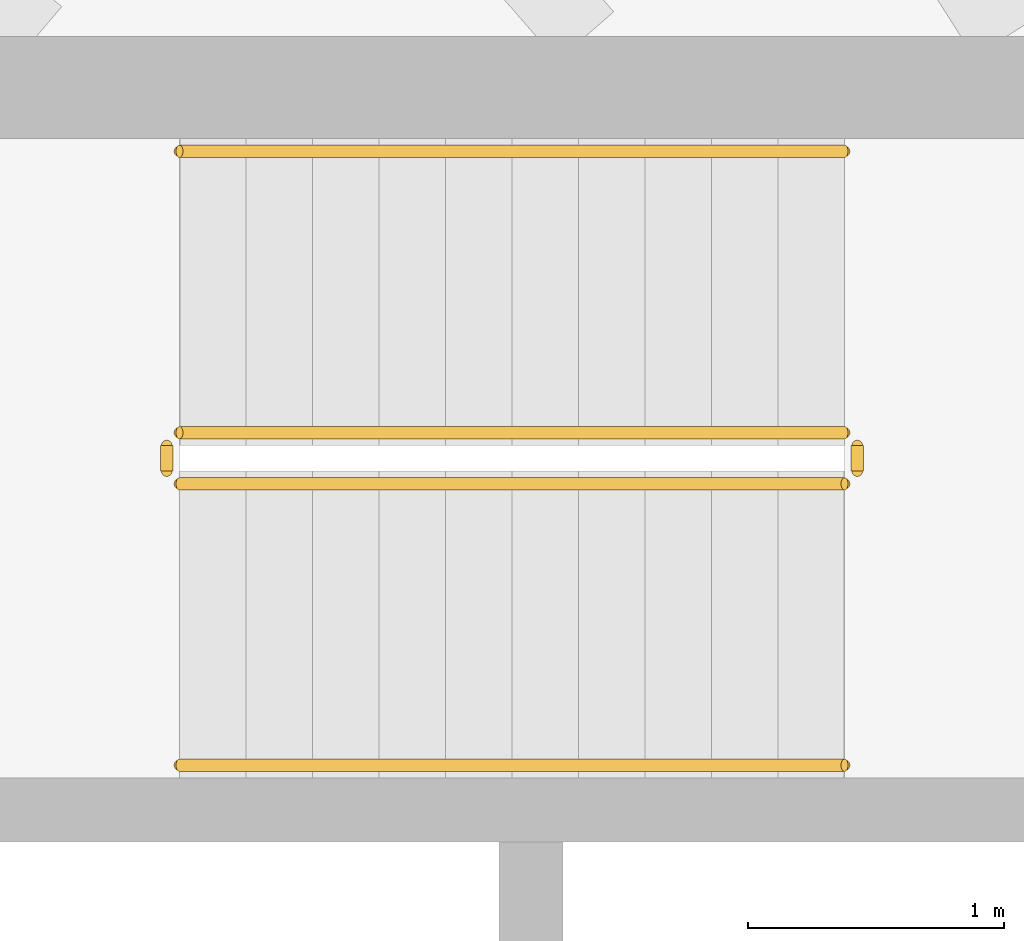
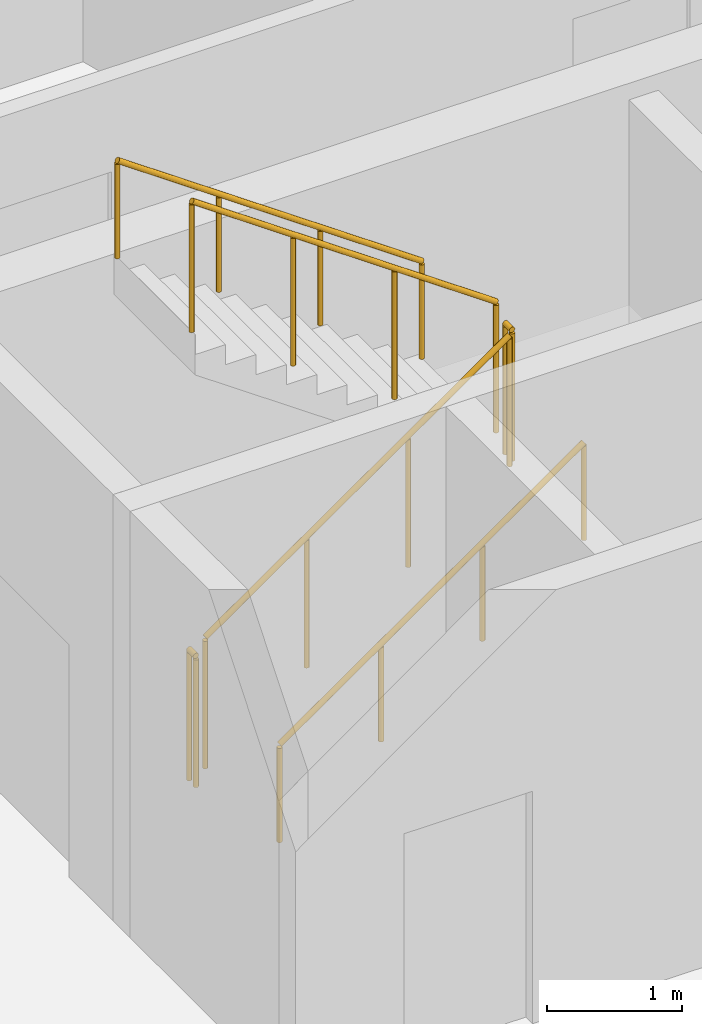
# One storey, part 14 of 17: 6 railings.
"""IFC4 building model written with IfcOpenShell, lengths in metres."""

from ifc_helpers import new_model, si_unit, direction, frame, origin, origin_2d, place, context, subcontext, project, spatial, circle, extrude, material, type_object, element, save


model = new_model("IFC4")

# Units and contexts
model_context = context("Model", 3, precision=1e-05, world=origin(), true_north=direction((0.0, 1.0)))
body_context = subcontext(model_context, "Body", "Model", "MODEL_VIEW")
ifc_project = project(units=[si_unit("LENGTHUNIT", "METRE"), si_unit("AREAUNIT", "SQUARE_METRE"), si_unit("VOLUMEUNIT", "CUBIC_METRE"), si_unit("PLANEANGLEUNIT", "RADIAN"), si_unit("MASSUNIT", "GRAM", prefix="KILO")], contexts=[model_context])

# Site, building, storey
site_placement = place(None, origin())
site = spatial("IfcSite", under=ifc_project, at=site_placement, CompositionType="ELEMENT")
building_placement = place(site_placement, origin())
building = spatial("IfcBuilding", under=site, at=building_placement, Name="Sahrelin Media Tower", CompositionType="ELEMENT")
storey_placement = place(building_placement, frame((0.0, 0.0, 291.0)))
storey = spatial("IfcBuildingStorey", under=building, at=storey_placement, Name="L64", CompositionType="ELEMENT", Elevation=291.0)

# Railings
ifc_material = material(Name="Steel S355", Category="steel")
railing_type_1 = type_object("IfcRailingType", Name="Stair guard 1200", PredefinedType="GUARDRAIL", material=ifc_material)
railing_1_placement = place(storey_placement, frame((-7.675048828125, 5.25, 0.181884765625)))
element("IfcRailing", 1, at=railing_1_placement, inside=storey, type_object=railing_type_1, Name="L64 ST1 stair guard 1", PredefinedType="GUARDRAIL", context=body_context, shape_type="SweptSolid", body=[
    extrude(circle(Radius=0.02392578125, at=origin_2d()), frame((0.0, 0.0, 1.17578125), z_axis=(0.819521025635, 0.0, 0.573049115296), x_axis=(0.0, 1.0, 0.0)), (0.0, 0.0, 1.0), 3.172607421875),
    extrude(circle(Radius=0.02099609375, at=origin_2d()), origin(), (0.0, 0.0, 1.0), 1.15185546875),
    extrude(circle(Radius=0.02099609375, at=origin_2d()), frame((0.86669921875, 0.0, 0.60595703125)), (0.0, 0.0, 1.0), 1.15185546875),
    extrude(circle(Radius=0.02099609375, at=origin_2d()), frame((1.7333984375, 0.0, 1.212158203125)), (0.0, 0.0, 1.0), 1.15185546875),
    extrude(circle(Radius=0.02099609375, at=origin_2d()), frame((2.60009765625, 0.0, 1.818115234375)), (0.0, 0.0, 1.0), 1.15185546875),
])
railing_2_placement = place(storey_placement, frame((-5.02490234375, 5.300048828125, 2.0)))
element("IfcRailing", 2, at=railing_2_placement, inside=storey, type_object=railing_type_1, Name="L64 ST1 stair guard 2", PredefinedType="GUARDRAIL", context=body_context, shape_type="SweptSolid", body=[
    extrude(circle(Radius=0.02392578125, at=origin_2d()), frame((0.0, 0.0, 1.17578125), z_axis=(0.0, 1.0, 0.0), x_axis=(-1.0, 0.0, 0.0)), (0.0, 0.0, 1.0), 0.099853515625),
    extrude(circle(Radius=0.02099609375, at=origin_2d()), origin(), (0.0, 0.0, 1.0), 1.15185546875),
    extrude(circle(Radius=0.02099609375, at=origin_2d()), frame((0.0, 0.099853515625, 0.0)), (0.0, 0.0, 1.0), 1.15185546875),
])
railing_3_placement = place(storey_placement, frame((-5.074951171875, 5.449951171875, 2.181884765625)))
element("IfcRailing", 3, at=railing_3_placement, inside=storey, type_object=railing_type_1, Name="L64 ST1 stair guard 3", PredefinedType="GUARDRAIL", context=body_context, shape_type="SweptSolid", body=[
    extrude(circle(Radius=0.02392578125, at=origin_2d()), frame((0.0, 0.0, 1.17578125), z_axis=(-0.819521025635, 0.0, 0.573049115296), x_axis=(0.0, -1.0, 0.0)), (0.0, 0.0, 1.0), 3.172607421875),
    extrude(circle(Radius=0.02099609375, at=origin_2d()), origin(), (0.0, 0.0, 1.0), 1.15185546875),
    extrude(circle(Radius=0.02099609375, at=origin_2d()), frame((-0.86669921875, 0.0, 0.60595703125)), (0.0, 0.0, 1.0), 1.15185546875),
    extrude(circle(Radius=0.02099609375, at=origin_2d()), frame((-1.7333984375, 0.0, 1.212158203125)), (0.0, 0.0, 1.0), 1.15185546875),
    extrude(circle(Radius=0.02099609375, at=origin_2d()), frame((-2.60009765625, 0.0, 1.818115234375)), (0.0, 0.0, 1.0), 1.15185546875),
])
railing_4_placement = place(storey_placement, frame((-7.72509765625, 5.300048828125, 0.0)))
element("IfcRailing", 4, at=railing_4_placement, inside=storey, type_object=railing_type_1, Name="L64 ST1 stair guard 4", PredefinedType="GUARDRAIL", context=body_context, shape_type="SweptSolid", body=[
    extrude(circle(Radius=0.02392578125, at=origin_2d()), frame((0.0, 0.0, 1.17578125), z_axis=(0.0, 1.0, 0.0), x_axis=(-1.0, 0.0, 0.0)), (0.0, 0.0, 1.0), 0.099853515625),
    extrude(circle(Radius=0.02099609375, at=origin_2d()), origin(), (0.0, 0.0, 1.0), 1.15185546875),
    extrude(circle(Radius=0.02099609375, at=origin_2d()), frame((0.0, 0.099853515625, 0.0)), (0.0, 0.0, 1.0), 1.15185546875),
])
railing_type_2 = type_object("IfcRailingType", Name="Stair handrail 900", PredefinedType="HANDRAIL", material=ifc_material)
railing_5_placement = place(storey_placement, frame((-7.675048828125, 4.14990234375, 0.181884765625)))
element("IfcRailing", 5, at=railing_5_placement, inside=storey, type_object=railing_type_2, Name="L64 ST1 stair handrail 1", PredefinedType="HANDRAIL", context=body_context, shape_type="SweptSolid", body=[
    extrude(circle(Radius=0.02392578125, at=origin_2d()), frame((0.0, 0.0, 0.8759765625), z_axis=(0.819521025635, 0.0, 0.573049115296), x_axis=(0.0, 1.0, 0.0)), (0.0, 0.0, 1.0), 3.172607421875),
    extrude(circle(Radius=0.02099609375, at=origin_2d()), origin(), (0.0, 0.0, 1.0), 0.851806640625),
    extrude(circle(Radius=0.02099609375, at=origin_2d()), frame((0.86669921875, 0.0, 0.60595703125)), (0.0, 0.0, 1.0), 0.851806640625),
    extrude(circle(Radius=0.02099609375, at=origin_2d()), frame((1.7333984375, 0.0, 1.212158203125)), (0.0, 0.0, 1.0), 0.851806640625),
    extrude(circle(Radius=0.02099609375, at=origin_2d()), frame((2.60009765625, 0.0, 1.818115234375)), (0.0, 0.0, 1.0), 0.851806640625),
])
railing_6_placement = place(storey_placement, frame((-5.074951171875, 6.550048828125, 2.181884765625)))
element("IfcRailing", 6, at=railing_6_placement, inside=storey, type_object=railing_type_2, Name="L64 ST1 stair handrail 2", PredefinedType="HANDRAIL", context=body_context, shape_type="SweptSolid", body=[
    extrude(circle(Radius=0.02392578125, at=origin_2d()), frame((0.0, 0.0, 0.8759765625), z_axis=(-0.819521025635, 0.0, 0.573049115296), x_axis=(0.0, -1.0, 0.0)), (0.0, 0.0, 1.0), 3.172607421875),
    extrude(circle(Radius=0.02099609375, at=origin_2d()), origin(), (0.0, 0.0, 1.0), 0.851806640625),
    extrude(circle(Radius=0.02099609375, at=origin_2d()), frame((-0.86669921875, 0.0, 0.60595703125)), (0.0, 0.0, 1.0), 0.851806640625),
    extrude(circle(Radius=0.02099609375, at=origin_2d()), frame((-1.7333984375, 0.0, 1.212158203125)), (0.0, 0.0, 1.0), 0.851806640625),
    extrude(circle(Radius=0.02099609375, at=origin_2d()), frame((-2.60009765625, 0.0, 1.818115234375)), (0.0, 0.0, 1.0), 0.851806640625),
])

save(model, "model.ifc")
